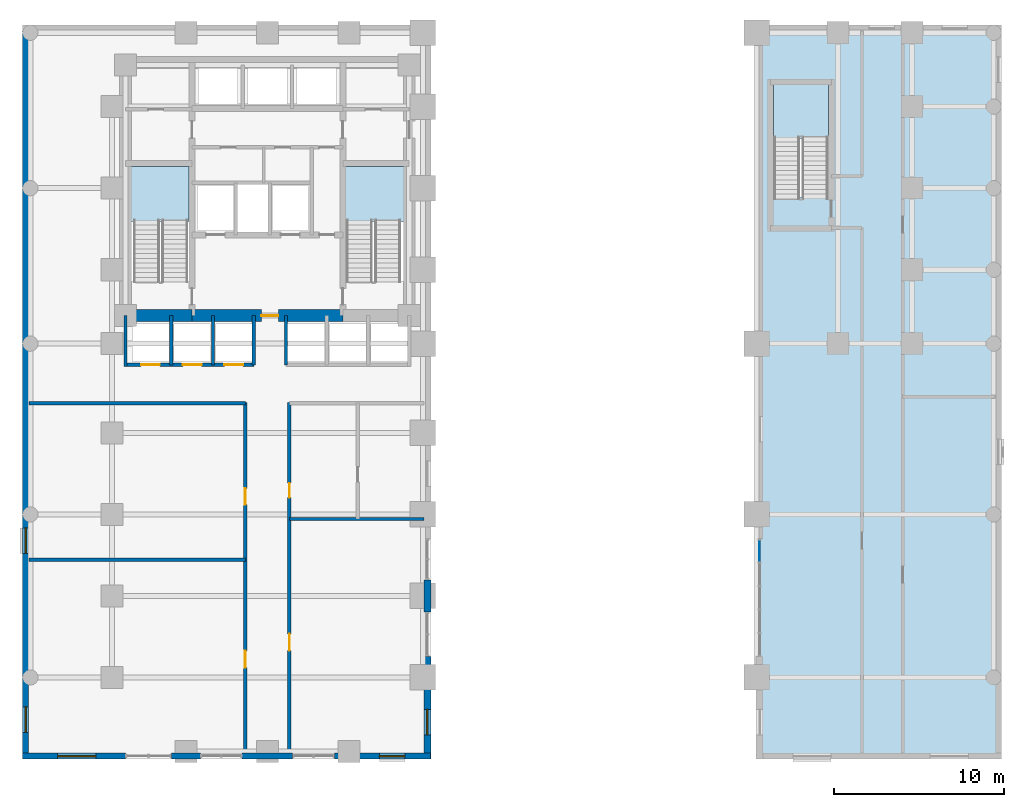
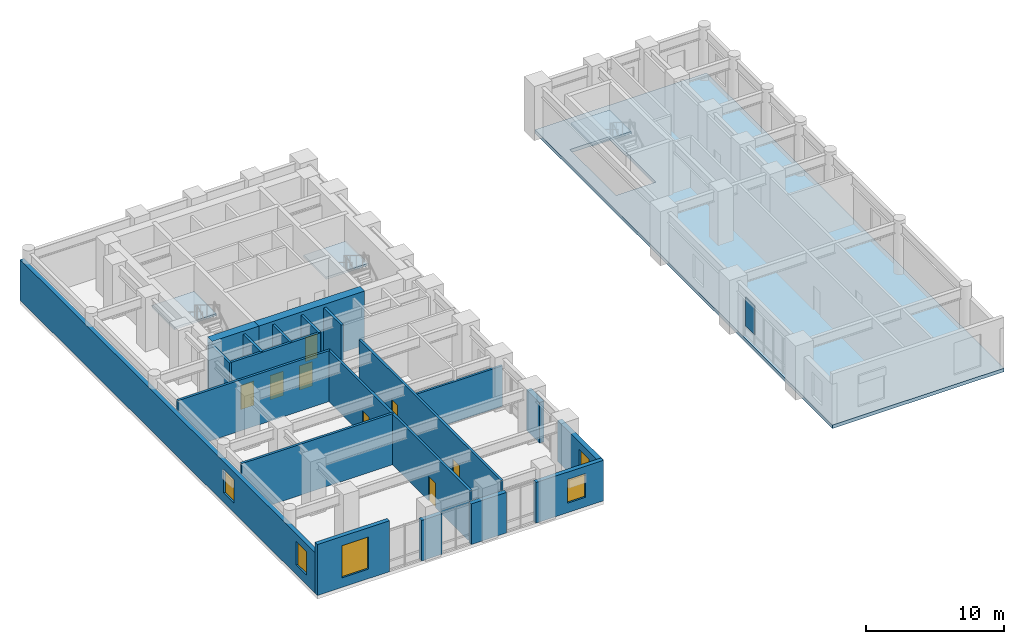
# One storey, part 6 of 11: 20 walls, 8 doors, 5 windows, 4 slabs, 1 plate, 13 openings, 4 elements without a shape of their own.
"""IFC4 building model written with IfcOpenShell, lengths in metres."""

from ifc_helpers import new_model, si_unit, direction, frame, frame_2d, origin, origin_2d, place, context, subcontext, project, spatial, polyline, rectangle, outline, extrude, material, layer, layer_set, type_object, element, fill, aggregate, save


model = new_model("IFC4")

# Units and contexts
model_context = context("Model", 3, precision=1e-05, world=origin(), true_north=direction((0.0, 1.0)))
body_context = subcontext(model_context, "Body", "Model", "MODEL_VIEW")
ifc_project = project(units=[si_unit("LENGTHUNIT", "METRE"), si_unit("AREAUNIT", "SQUARE_METRE"), si_unit("VOLUMEUNIT", "CUBIC_METRE"), si_unit("PLANEANGLEUNIT", "RADIAN"), si_unit("MASSUNIT", "GRAM", prefix="KILO")], contexts=[model_context])

# Site, building, storey
site_placement = place(None, origin())
site = spatial("IfcSite", under=ifc_project, at=site_placement, CompositionType="ELEMENT")
building_placement = place(site_placement, origin())
building = spatial("IfcBuilding", under=site, at=building_placement, Name="Orvandelia Arch Residences", CompositionType="ELEMENT")
storey_placement = place(building_placement, frame((0.0, 0.0, 5.199951171875)))
storey = spatial("IfcBuildingStorey", under=building, at=storey_placement, Name="L01", CompositionType="ELEMENT", Elevation=5.199951171875)

# Curtain wall, plate
ifc_material_1 = material(Name="Anodised Bronze Curtain Wall Assembly")
curtain_wall_type = type_object("IfcCurtainWallType", Name="CW-SYS2-ARCH", PredefinedType="NOTDEFINED", material=ifc_material_1)
curtain_wall_placement = place(storey_placement, origin())
curtain_wall = element("IfcCurtainWall", 1, at=curtain_wall_placement, inside=storey, type_object=curtain_wall_type, Name="Arch East Cheek Glazing L01 6", PredefinedType="NOTDEFINED")
ifc_material_2 = material(Name="Low-E Laminated Double Glazing", Category="glass")
ifc_layer_1 = layer(ifc_material_2, 0.031982421875, Name="Low-E Laminated Double Glazing", Category="glass")
ifc_layer_set_1 = layer_set([ifc_layer_1], Name="Low-E Laminated Double Glazing")
plate_type = type_object("IfcPlateType", Name="CW-PANEL-VISION", PredefinedType="CURTAIN_PANEL", material=ifc_layer_set_1)
plate_placement = place(storey_placement, frame((43.3798828125, 17.048095703125, 0.90478515625), z_axis=(0.0, 0.0, 1.0), x_axis=(0.0, 1.0, 0.0)))
plate = element("IfcPlate", 2, at=plate_placement, type_object=plate_type, Name="Curtain Wall Vision Glass Panel CW-L01-6-PV5", PredefinedType="CURTAIN_PANEL", context=body_context, shape_type="SweptSolid", body=[
    extrude(rectangle(XDim=1.2939453125, YDim=0.031982421875, at=origin_2d()), origin(), (0.0, 0.0, 1.0), 2.590087890625),
])
aggregate(curtain_wall, [plate])

# Stair, slab
ifc_material_3 = material(Name="Concrete C40/50", Category="concrete")
stair_type = type_object("IfcStairType", Name="STAIR-RC-DOGLEG", PredefinedType="HALF_TURN_STAIR", material=ifc_material_3)
stair_1_placement = place(storey_placement, origin())
stair_1 = element("IfcStair", 3, at=stair_1_placement, inside=storey, type_object=stair_type, Name="L01 Protected Exit Stair ST-1", PredefinedType="HALF_TURN_STAIR")
ifc_layer_2 = layer(ifc_material_3, 0.219970703125, Name="Concrete C40/50", Category="concrete")
ifc_layer_set_2 = layer_set([ifc_layer_2], Name="Concrete C40/50")
slab_type_1 = type_object("IfcSlabType", Name="SLB-LANDING-220", PredefinedType="LANDING", material=ifc_layer_set_2)
slab_1_placement = place(storey_placement, frame((0.0, 0.0, 2.199951171875)))
slab_1 = element("IfcSlab", 4, at=slab_1_placement, type_object=slab_type_1, Name="ST-1 landing 1", PredefinedType="LANDING", context=body_context, shape_type="SweptSolid", body=[
    extrude(outline(polyline([(9.800048828125, 36.429931640625), (9.800048828125, 39.68994140625), (6.260009765625, 39.68994140625), (6.260009765625, 36.429931640625), (9.800048828125, 36.429931640625)])), origin(), (0.0, 0.0, 1.0), 0.2001953125),
])
aggregate(stair_1, [slab_1])

stair_2_placement = place(storey_placement, origin())
stair_2 = element("IfcStair", 5, at=stair_2_placement, inside=storey, type_object=stair_type, Name="L01 Protected Exit Stair ST-2", PredefinedType="HALF_TURN_STAIR")
slab_2_placement = place(storey_placement, frame((0.0, 0.0, 2.199951171875)))
slab_2 = element("IfcSlab", 6, at=slab_2_placement, type_object=slab_type_1, Name="ST-2 landing 1", PredefinedType="LANDING", context=body_context, shape_type="SweptSolid", body=[
    extrude(outline(polyline([(22.5400390625, 36.429931640625), (22.5400390625, 39.68994140625), (19.0, 39.68994140625), (19.0, 36.429931640625), (22.5400390625, 36.429931640625)])), origin(), (0.0, 0.0, 1.0), 0.2001953125),
])
aggregate(stair_2, [slab_2])

stair_3_placement = place(storey_placement, origin())
stair_3 = element("IfcStair", 7, at=stair_3_placement, inside=storey, type_object=stair_type, Name="L01 East Wing Exit Stair ST-3", PredefinedType="HALF_TURN_STAIR")
slab_3_placement = place(storey_placement, frame((0.0, 0.0, 2.199951171875)))
slab_3 = element("IfcSlab", 8, at=slab_3_placement, type_object=slab_type_1, Name="ST-3 landing 1", PredefinedType="LANDING", context=body_context, shape_type="SweptSolid", body=[
    extrude(outline(polyline([(47.43994140625, 41.330078125), (47.43994140625, 44.5), (44.179931640625, 44.5), (44.179931640625, 41.330078125), (47.43994140625, 41.330078125)])), origin(), (0.0, 0.0, 1.0), 0.2001953125),
])
aggregate(stair_3, [slab_3])

# Slab
ifc_layer_3 = layer(ifc_material_3, 0.31005859375, Name="Concrete C40/50", Category="concrete")
ifc_layer_set_3 = layer_set([ifc_layer_3], Name="Concrete C40/50")
slab_type_2 = type_object("IfcSlabType", Name="SLB-POD-310", PredefinedType="FLOOR", material=ifc_layer_set_3)
slab_4_placement = place(storey_placement, frame((0.0, 0.0, -0.31005859375)))
element("IfcSlab", 9, at=slab_4_placement, inside=storey, type_object=slab_type_2, Name="Structural Floor Slab L01-2", PredefinedType="FLOOR", context=body_context, shape_type="SweptSolid", body=[
    extrude(outline(polyline([(43.199951171875, 4.800048828125), (57.60009765625, 4.800048828125), (57.60009765625, 48.0), (43.199951171875, 48.0), (43.199951171875, 4.800048828125)]), holes=[polyline([(44.139892578125, 37.85009765625), (47.47998046875, 37.85009765625), (47.47998046875, 44.5400390625), (44.139892578125, 44.5400390625), (44.139892578125, 37.85009765625)])]), origin(), (0.0, 0.0, 1.0), 0.31005859375),
])

# Wall
ifc_material_4 = material(Name="Precast concrete C40/50", Category="concrete")
ifc_layer_4 = layer(ifc_material_4, 0.39990234375, Name="Precast concrete C40/50", Category="concrete")
ifc_layer_set_4 = layer_set([ifc_layer_4], Name="Precast concrete C40/50")
wall_type_1 = type_object("IfcWallType", Name="WL-ARCH-CHEEK-400", PredefinedType="SOLIDWALL", material=ifc_layer_set_4)
wall_1_placement = place(storey_placement, frame((23.824951171875, 15.35009765625, 0.0), z_axis=(0.0, 0.0, 1.0), x_axis=(0.0, -1.0, 0.0)))
element("IfcWall", 10, at=wall_1_placement, inside=storey, type_object=wall_type_1, Name="Giant Arch Pier Cheek Wall L01-003", PredefinedType="SOLIDWALL", context=body_context, shape_type="SweptSolid", body=[
    extrude(rectangle(XDim=1.900146484375, YDim=0.39990234375, at=frame_2d((0.9501953125, 0.0))), origin(), (0.0, 0.0, 1.0), 3.60009765625),
])

# Wall, opening, window
wall_2_placement = place(storey_placement, frame((23.824951171875, 10.840087890625, 0.0), z_axis=(0.0, 0.0, 1.0), x_axis=(0.0, -1.0, 0.0)))
wall_2 = element("IfcWall", 11, at=wall_2_placement, inside=storey, type_object=wall_type_1, Name="Giant Arch Pier Cheek Wall L01-004", PredefinedType="SOLIDWALL", context=body_context, shape_type="SweptSolid", body=[
    extrude(rectangle(XDim=6.0400390625, YDim=0.39990234375, at=frame_2d((3.02001953125, 0.0))), origin(), (0.0, 0.0, 1.0), 3.60009765625),
])
opening_1_placement = place(wall_2_placement, frame((3.114990234375, 0.0, 0.85009765625)))
opening_1 = element("IfcOpeningElement", 12, at=opening_1_placement, cuts=wall_2, Name="Opening W2", PredefinedType="OPENING", context=body_context, shape_type="SweptSolid", body=[
    extrude(rectangle(XDim=1.5, YDim=2.10009765625, at=frame_2d((0.75, 1.050048828125))), frame((0.0, 0.2099609375, 0.0), z_axis=(0.0, -1.0, 0.0), x_axis=(1.0, 0.0, 0.0)), (0.0, 0.0, 1.0), 0.419921875),
])
ifc_material_5 = material(Name="Tempered Low-E Insulated Glazing", Category="glass")
window_type_1 = type_object("IfcWindowType", Name="WIN-RES-1500x2100", PartitioningType="SINGLE_PANEL", PredefinedType="WINDOW", material=ifc_material_5)
window_1_placement = place(opening_1_placement, origin())
window_1 = element("IfcWindow", 13, at=window_1_placement, inside=storey, type_object=window_type_1, Name="Recessed Punched Window L01-002", OverallHeight=2.10009765625, OverallWidth=1.5, PartitioningType="SINGLE_PANEL", PredefinedType="WINDOW", context=body_context, shape_type="SweptSolid", body=[
    extrude(rectangle(XDim=1.5, YDim=2.10009765625, at=frame_2d((0.75, 1.050048828125))), frame((0.0, 0.030029296875, 0.0), z_axis=(0.0, -1.0, 0.0), x_axis=(1.0, 0.0, 0.0)), (0.0, 0.0, 1.0), 0.06005859375),
])
fill(opening_1, window_1)

# Wall
ifc_material_6 = material(Name="Concrete C80/95", Category="concrete")
ifc_layer_5 = layer(ifc_material_6, 0.699951171875, Name="Concrete C80/95", Category="concrete")
ifc_layer_set_5 = layer_set([ifc_layer_5], Name="Concrete C80/95")
wall_type_2 = type_object("IfcWallType", Name="WL-CORE-700", PredefinedType="SHEAR", material=ifc_layer_set_5)
wall_3_placement = place(storey_placement, frame((6.050048828125, 30.89990234375, 0.0), z_axis=(0.0, 0.0, 1.0), x_axis=(1.0, 0.0, 0.0)))
element("IfcWall", 14, at=wall_3_placement, inside=storey, type_object=wall_type_2, Name="Core Shear Wall L01-SW", PredefinedType="SHEAR", context=body_context, shape_type="SweptSolid", body=[
    extrude(rectangle(XDim=3.909912109375, YDim=0.699951171875, at=frame_2d((1.955078125, 0.0))), origin(), (0.0, 0.0, 1.0), 4.800048828125),
])

# Wall, opening, door
wall_4_placement = place(storey_placement, frame((9.9599609375, 30.89990234375, 0.0), z_axis=(0.0, 0.0, 1.0), x_axis=(1.0, 0.0, 0.0)))
wall_4 = element("IfcWall", 15, at=wall_4_placement, inside=storey, type_object=wall_type_2, Name="Core Shear Wall L01-SM", PredefinedType="SHEAR", context=body_context, shape_type="SweptSolid", body=[
    extrude(rectangle(XDim=8.880126953125, YDim=0.699951171875, at=frame_2d((4.43994140625, 0.0))), origin(), (0.0, 0.0, 1.0), 4.800048828125),
])
opening_2_placement = place(wall_4_placement, frame((4.090087890625, 0.0, 0.0)))
opening_2 = element("IfcOpeningElement", 16, at=opening_2_placement, cuts=wall_4, Name="Opening D6", PredefinedType="OPENING", context=body_context, shape_type="SweptSolid", body=[
    extrude(rectangle(XDim=1.0, YDim=2.14990234375, at=frame_2d((0.5, 1.074951171875))), frame((0.0, 0.35986328125, 0.0), z_axis=(0.0, -1.0, 0.0), x_axis=(1.0, 0.0, 0.0)), (0.0, 0.0, 1.0), 0.719970703125),
])
ifc_material_7 = material(Name="Smokeproof Painted Steel Fire Door", Category="steel")
door_type_1 = type_object("IfcDoorType", Name="DR-FD60-1000", OperationType="NOTDEFINED", PredefinedType="DOOR", material=ifc_material_7)
door_1_placement = place(opening_2_placement, origin())
door_1 = element("IfcDoor", 17, at=door_1_placement, inside=storey, type_object=door_type_1, Name="Firefighting Lobby Smokeproof Door L01", OperationType="SINGLE_SWING_LEFT", OverallHeight=2.14990234375, OverallWidth=1.0, PredefinedType="DOOR", context=body_context, shape_type="SweptSolid", body=[
    extrude(rectangle(XDim=1.0, YDim=2.14990234375, at=frame_2d((0.5, 1.074951171875))), frame((0.0, 0.02490234375, 0.0), z_axis=(0.0, -1.0, 0.0), x_axis=(1.0, 0.0, 0.0)), (0.0, 0.0, 1.0), 0.050048828125),
])
fill(opening_2, door_1)

# Wall, openings, doors
ifc_material_8 = material(Name="Fire-Rated Corridor Partition")
ifc_layer_6 = layer(ifc_material_8, 0.199951171875, Name="Fire-Rated Corridor Partition")
ifc_layer_set_6 = layer_set([ifc_layer_6], Name="Fire-Rated Corridor Partition")
wall_type_3 = type_object("IfcWallType", Name="WL-CORR-200", PredefinedType="PARTITIONING", material=ifc_layer_set_6)
wall_5_placement = place(storey_placement, frame((13.10009765625, 5.159912109375, 0.0), z_axis=(0.0, 0.0, 1.0), x_axis=(0.0, 1.0, 0.0)))
wall_5 = element("IfcWall", 18, at=wall_5_placement, inside=storey, type_object=wall_type_3, Name="Interior Partition Wall WL-L01-PW-W", PredefinedType="PARTITIONING", context=body_context, shape_type="SweptSolid", body=[
    extrude(rectangle(XDim=20.64013671875, YDim=0.199951171875, at=frame_2d((10.320068359375, 0.0))), origin(), (0.0, 0.0, 1.0), 4.52001953125),
])
opening_3_placement = place(wall_5_placement, frame((5.02001953125, 0.0, 0.0)))
opening_3 = element("IfcOpeningElement", 19, at=opening_3_placement, cuts=wall_5, Name="Opening D1", PredefinedType="OPENING", context=body_context, shape_type="SweptSolid", body=[
    extrude(rectangle(XDim=0.97998046875, YDim=2.179931640625, at=frame_2d((0.489990234375, 1.08984375))), frame((0.0, 0.10986328125, 0.0), z_axis=(0.0, -1.0, 0.0), x_axis=(1.0, 0.0, 0.0)), (0.0, 0.0, 1.0), 0.219970703125),
])
opening_4_placement = place(wall_5_placement, frame((14.6201171875, 0.0, 0.0)))
opening_4 = element("IfcOpeningElement", 20, at=opening_4_placement, cuts=wall_5, Name="Opening D2", PredefinedType="OPENING", context=body_context, shape_type="SweptSolid", body=[
    extrude(rectangle(XDim=0.949951171875, YDim=2.14990234375, at=frame_2d((0.47509765625, 1.074951171875))), frame((0.0, 0.10986328125, 0.0), z_axis=(0.0, -1.0, 0.0), x_axis=(1.0, 0.0, 0.0)), (0.0, 0.0, 1.0), 0.219970703125),
])
ifc_material_9 = material(Name="Solid-Core Timber Interior Fire Door", Category="wood")
door_type_2 = type_object("IfcDoorType", Name="DR-APT-950", OperationType="NOTDEFINED", PredefinedType="DOOR", material=ifc_material_9)
door_2_placement = place(opening_4_placement, origin())
door_2 = element("IfcDoor", 21, at=door_2_placement, inside=storey, type_object=door_type_2, Name="DR-L01-RET", OperationType="SINGLE_SWING_RIGHT", OverallHeight=2.14990234375, OverallWidth=0.949951171875, PredefinedType="DOOR", context=body_context, shape_type="SweptSolid", body=[
    extrude(rectangle(XDim=0.949951171875, YDim=2.14990234375, at=frame_2d((0.47509765625, 1.074951171875))), frame((0.0, 0.02490234375, 0.0), z_axis=(0.0, -1.0, 0.0), x_axis=(1.0, 0.0, 0.0)), (0.0, 0.0, 1.0), 0.050048828125),
])
fill(opening_4, door_2)
ifc_material_10 = material(Name="Solid-Core Timber Acoustic Fire Door", Category="wood")
door_type_3 = type_object("IfcDoorType", Name="DR-ENT-980", OperationType="NOTDEFINED", PredefinedType="DOOR", material=ifc_material_10)
door_3_placement = place(opening_3_placement, origin())
door_3 = element("IfcDoor", 22, at=door_3_placement, inside=storey, type_object=door_type_3, Name="DR-L01-GAL", OperationType="SINGLE_SWING_LEFT", OverallHeight=2.179931640625, OverallWidth=0.97998046875, PredefinedType="DOOR", context=body_context, shape_type="SweptSolid", body=[
    extrude(rectangle(XDim=0.97998046875, YDim=2.179931640625, at=frame_2d((0.489990234375, 1.08984375))), frame((0.0, 0.02490234375, 0.0), z_axis=(0.0, -1.0, 0.0), x_axis=(1.0, 0.0, 0.0)), (0.0, 0.0, 1.0), 0.050048828125),
])
fill(opening_3, door_3)

wall_6_placement = place(storey_placement, frame((15.699951171875, 5.159912109375, 0.0), z_axis=(0.0, 0.0, 1.0), x_axis=(0.0, 1.0, 0.0)))
wall_6 = element("IfcWall", 23, at=wall_6_placement, inside=storey, type_object=wall_type_3, Name="Interior Partition Wall WL-L01-PW-E", PredefinedType="PARTITIONING", context=body_context, shape_type="SweptSolid", body=[
    extrude(rectangle(XDim=20.64013671875, YDim=0.199951171875, at=frame_2d((10.320068359375, 0.0))), origin(), (0.0, 0.0, 1.0), 4.52001953125),
])
opening_5_placement = place(wall_6_placement, frame((6.02001953125, 0.0, 0.0)))
opening_5 = element("IfcOpeningElement", 24, at=opening_5_placement, cuts=wall_6, Name="Opening D1", PredefinedType="OPENING", context=body_context, shape_type="SweptSolid", body=[
    extrude(rectangle(XDim=0.97998046875, YDim=2.179931640625, at=frame_2d((0.489990234375, 1.08984375))), frame((0.0, 0.10986328125, 0.0), z_axis=(0.0, -1.0, 0.0), x_axis=(1.0, 0.0, 0.0)), (0.0, 0.0, 1.0), 0.219970703125),
])
opening_6_placement = place(wall_6_placement, frame((15.02001953125, 0.0, 0.0)))
opening_6 = element("IfcOpeningElement", 25, at=opening_6_placement, cuts=wall_6, Name="Opening D4", PredefinedType="OPENING", context=body_context, shape_type="SweptSolid", body=[
    extrude(rectangle(XDim=0.860107421875, YDim=2.10009765625, at=frame_2d((0.43017578125, 1.050048828125))), frame((0.0, 0.10986328125, 0.0), z_axis=(0.0, -1.0, 0.0), x_axis=(1.0, 0.0, 0.0)), (0.0, 0.0, 1.0), 0.219970703125),
])
door_4_placement = place(opening_5_placement, origin())
door_4 = element("IfcDoor", 26, at=door_4_placement, inside=storey, type_object=door_type_3, Name="DR-L01-BIS", OperationType="SINGLE_SWING_RIGHT", OverallHeight=2.179931640625, OverallWidth=0.97998046875, PredefinedType="DOOR", context=body_context, shape_type="SweptSolid", body=[
    extrude(rectangle(XDim=0.97998046875, YDim=2.179931640625, at=frame_2d((0.489990234375, 1.08984375))), frame((0.0, 0.02490234375, 0.0), z_axis=(0.0, -1.0, 0.0), x_axis=(1.0, 0.0, 0.0)), (0.0, 0.0, 1.0), 0.050048828125),
])
fill(opening_5, door_4)
ifc_material_11 = material(Name="Moisture-Sealed Timber Bathroom Door", Category="wood")
door_type_4 = type_object("IfcDoorType", Name="DR-WET-900", OperationType="NOTDEFINED", PredefinedType="DOOR", material=ifc_material_11)
door_5_placement = place(opening_6_placement, origin())
door_5 = element("IfcDoor", 27, at=door_5_placement, inside=storey, type_object=door_type_4, Name="DR-L01-WCP", OperationType="SINGLE_SWING_LEFT", OverallHeight=2.10009765625, OverallWidth=0.860107421875, PredefinedType="DOOR", context=body_context, shape_type="SweptSolid", body=[
    extrude(rectangle(XDim=0.860107421875, YDim=2.10009765625, at=frame_2d((0.43017578125, 1.050048828125))), frame((0.0, 0.02490234375, 0.0), z_axis=(0.0, -1.0, 0.0), x_axis=(1.0, 0.0, 0.0)), (0.0, 0.0, 1.0), 0.050048828125),
])
fill(opening_6, door_5)

# Walls
wall_7_placement = place(storey_placement, frame((0.360107421875, 25.75, 0.0), z_axis=(0.0, 0.0, 1.0), x_axis=(1.0, 0.0, 0.0)))
element("IfcWall", 28, at=wall_7_placement, inside=storey, type_object=wall_type_3, Name="Interior Partition Wall WL-L01-PW-CLS1", PredefinedType="PARTITIONING", context=body_context, shape_type="SweptSolid", body=[
    extrude(rectangle(XDim=12.739990234375, YDim=0.199951171875, at=frame_2d((6.3701171875, 0.0))), origin(), (0.0, 0.0, 1.0), 4.52001953125),
])
ifc_layer_7 = layer(ifc_material_3, 0.199951171875, Name="Concrete C40/50", Category="concrete")
ifc_layer_set_7 = layer_set([ifc_layer_7], Name="Concrete C40/50")
wall_type_4 = type_object("IfcWallType", Name="WL-DEM-200", PredefinedType="SOLIDWALL", material=ifc_layer_set_7)
wall_8_placement = place(storey_placement, frame((0.360107421875, 16.52001953125, 0.0), z_axis=(0.0, 0.0, 1.0), x_axis=(1.0, 0.0, 0.0)))
element("IfcWall", 29, at=wall_8_placement, inside=storey, type_object=wall_type_4, Name="Interior Partition Wall WL-L01-PW-D1", PredefinedType="SOLIDWALL", context=body_context, shape_type="SweptSolid", body=[
    extrude(rectangle(XDim=12.739990234375, YDim=0.199951171875, at=frame_2d((6.3701171875, 0.0))), origin(), (0.0, 0.0, 1.0), 4.52001953125),
])

# Wall, opening, window
ifc_layer_8 = layer(ifc_material_4, 0.35009765625, Name="Precast concrete C40/50", Category="concrete")
ifc_layer_set_8 = layer_set([ifc_layer_8], Name="Precast concrete C40/50")
wall_type_5 = type_object("IfcWallType", Name="WL-EXT-POD-350", PredefinedType="STANDARD", material=ifc_layer_set_8)
wall_9_placement = place(storey_placement, frame((24.0, 4.97509765625, 0.0), z_axis=(0.0, 0.0, 1.0), x_axis=(-1.0, 0.0, 0.0)))
wall_9 = element("IfcWall", 30, at=wall_9_placement, inside=storey, type_object=wall_type_5, Name="Coral-Limestone Precast Facade Wall L01-005", PredefinedType="STANDARD", context=body_context, shape_type="SweptSolid", body=[
    extrude(rectangle(XDim=5.64990234375, YDim=0.35009765625, at=frame_2d((2.824951171875, 0.0))), origin(), (0.0, 0.0, 1.0), 3.60009765625),
])
opening_7_placement = place(wall_9_placement, frame((1.5, 0.0, 0.85009765625)))
opening_7 = element("IfcOpeningElement", 31, at=opening_7_placement, cuts=wall_9, Name="Opening W2", PredefinedType="OPENING", context=body_context, shape_type="SweptSolid", body=[
    extrude(rectangle(XDim=1.5, YDim=2.10009765625, at=frame_2d((0.75, 1.050048828125))), frame((0.0, 0.18505859375, 0.0), z_axis=(0.0, -1.0, 0.0), x_axis=(1.0, 0.0, 0.0)), (0.0, 0.0, 1.0), 0.3701171875),
])
window_2_placement = place(opening_7_placement, origin())
window_2 = element("IfcWindow", 32, at=window_2_placement, inside=storey, type_object=window_type_1, Name="Recessed Punched Window L01-003", OverallHeight=2.10009765625, OverallWidth=1.5, PartitioningType="SINGLE_PANEL", PredefinedType="WINDOW", context=body_context, shape_type="SweptSolid", body=[
    extrude(rectangle(XDim=1.5, YDim=2.10009765625, at=frame_2d((0.75, 1.050048828125))), frame((0.0, 0.030029296875, 0.0), z_axis=(0.0, -1.0, 0.0), x_axis=(1.0, 0.0, 0.0)), (0.0, 0.0, 1.0), 0.06005859375),
])
fill(opening_7, window_2)

# Walls
wall_10_placement = place(storey_placement, frame((15.8798828125, 4.97509765625, 0.0), z_axis=(0.0, 0.0, 1.0), x_axis=(-1.0, 0.0, 0.0)))
element("IfcWall", 33, at=wall_10_placement, inside=storey, type_object=wall_type_5, Name="Coral-Limestone Precast Facade Wall L01-006", PredefinedType="STANDARD", context=body_context, shape_type="SweptSolid", body=[
    extrude(rectangle(XDim=2.9599609375, YDim=0.35009765625, at=frame_2d((1.47998046875, 0.0))), origin(), (0.0, 0.0, 1.0), 3.60009765625),
])
wall_11_placement = place(storey_placement, frame((10.449951171875, 4.97509765625, 0.0), z_axis=(0.0, 0.0, 1.0), x_axis=(-1.0, 0.0, 0.0)))
element("IfcWall", 34, at=wall_11_placement, inside=storey, type_object=wall_type_5, Name="Coral-Limestone Precast Facade Wall L01-007", PredefinedType="STANDARD", context=body_context, shape_type="SweptSolid", body=[
    extrude(rectangle(XDim=1.699951171875, YDim=0.35009765625, at=frame_2d((0.85009765625, 0.0))), origin(), (0.0, 0.0, 1.0), 3.60009765625),
])

# Wall, opening, window
wall_12_placement = place(storey_placement, frame((6.0400390625, 4.97509765625, 0.0), z_axis=(0.0, 0.0, 1.0), x_axis=(-1.0, 0.0, 0.0)))
wall_12 = element("IfcWall", 35, at=wall_12_placement, inside=storey, type_object=wall_type_5, Name="Coral-Limestone Precast Facade Wall L01-008", PredefinedType="STANDARD", context=body_context, shape_type="SweptSolid", body=[
    extrude(rectangle(XDim=6.0400390625, YDim=0.35009765625, at=frame_2d((3.02001953125, 0.0))), origin(), (0.0, 0.0, 1.0), 4.52001953125),
])
opening_8_placement = place(wall_12_placement, frame((1.739990234375, 0.0, 0.85009765625)))
opening_8 = element("IfcOpeningElement", 36, at=opening_8_placement, cuts=wall_12, Name="Opening W13", PredefinedType="OPENING", context=body_context, shape_type="SweptSolid", body=[
    extrude(rectangle(XDim=2.25, YDim=2.85009765625, at=frame_2d((1.125, 1.425048828125))), frame((0.0, 0.18505859375, 0.0), z_axis=(0.0, -1.0, 0.0), x_axis=(1.0, 0.0, 0.0)), (0.0, 0.0, 1.0), 0.3701171875),
])
ifc_material_12 = material(Name="Laminated Acoustic Double Glazing", Category="glass")
window_type_2 = type_object("IfcWindowType", Name="WIN-GAL-2250x2850", PartitioningType="SINGLE_PANEL", PredefinedType="WINDOW", material=ifc_material_12)
window_3_placement = place(opening_8_placement, origin())
window_3 = element("IfcWindow", 37, at=window_3_placement, inside=storey, type_object=window_type_2, Name="Recessed Punched Window L01-004", OverallHeight=2.85009765625, OverallWidth=2.25, PartitioningType="SINGLE_PANEL", PredefinedType="WINDOW", context=body_context, shape_type="SweptSolid", body=[
    extrude(rectangle(XDim=2.25, YDim=2.85009765625, at=frame_2d((1.125, 1.425048828125))), frame((0.0, 0.030029296875, 0.0), z_axis=(0.0, -1.0, 0.0), x_axis=(1.0, 0.0, 0.0)), (0.0, 0.0, 1.0), 0.06005859375),
])
fill(opening_8, window_3)

# Wall, openings, windows
wall_13_placement = place(storey_placement, frame((0.175048828125, 4.800048828125, 0.0), z_axis=(0.0, 0.0, 1.0), x_axis=(0.0, 1.0, 0.0)))
wall_13 = element("IfcWall", 38, at=wall_13_placement, inside=storey, type_object=wall_type_5, Name="Coral-Limestone Precast Facade Wall L01-009", PredefinedType="STANDARD", context=body_context, shape_type="SweptSolid", body=[
    extrude(rectangle(XDim=43.199951171875, YDim=0.35009765625, at=frame_2d((21.60009765625, 0.0))), origin(), (0.0, 0.0, 1.0), 3.60009765625),
])
opening_9_placement = place(wall_13_placement, frame((1.574951171875, 0.0, 0.85009765625)))
opening_9 = element("IfcOpeningElement", 39, at=opening_9_placement, cuts=wall_13, Name="Opening W2", PredefinedType="OPENING", context=body_context, shape_type="SweptSolid", body=[
    extrude(rectangle(XDim=1.5, YDim=2.10009765625, at=frame_2d((0.75, 1.050048828125))), frame((0.0, 0.18505859375, 0.0), z_axis=(0.0, -1.0, 0.0), x_axis=(1.0, 0.0, 0.0)), (0.0, 0.0, 1.0), 0.3701171875),
])
opening_10_placement = place(wall_13_placement, frame((12.10009765625, 0.0, 0.85009765625)))
opening_10 = element("IfcOpeningElement", 40, at=opening_10_placement, cuts=wall_13, Name="Opening W2", PredefinedType="OPENING", context=body_context, shape_type="SweptSolid", body=[
    extrude(rectangle(XDim=1.5, YDim=2.10009765625, at=frame_2d((0.75, 1.050048828125))), frame((0.0, 0.18505859375, 0.0), z_axis=(0.0, -1.0, 0.0), x_axis=(1.0, 0.0, 0.0)), (0.0, 0.0, 1.0), 0.3701171875),
])
window_4_placement = place(opening_9_placement, origin())
window_4 = element("IfcWindow", 41, at=window_4_placement, inside=storey, type_object=window_type_1, Name="Recessed Punched Window L01-005", OverallHeight=2.10009765625, OverallWidth=1.5, PartitioningType="SINGLE_PANEL", PredefinedType="WINDOW", context=body_context, shape_type="SweptSolid", body=[
    extrude(rectangle(XDim=1.5, YDim=2.10009765625, at=frame_2d((0.75, 1.050048828125))), frame((0.0, 0.030029296875, 0.0), z_axis=(0.0, -1.0, 0.0), x_axis=(1.0, 0.0, 0.0)), (0.0, 0.0, 1.0), 0.06005859375),
])
fill(opening_9, window_4)
window_5_placement = place(opening_10_placement, origin())
window_5 = element("IfcWindow", 42, at=window_5_placement, inside=storey, type_object=window_type_1, Name="Recessed Punched Window L01-006", OverallHeight=2.10009765625, OverallWidth=1.5, PartitioningType="SINGLE_PANEL", PredefinedType="WINDOW", context=body_context, shape_type="SweptSolid", body=[
    extrude(rectangle(XDim=1.5, YDim=2.10009765625, at=frame_2d((0.75, 1.050048828125))), frame((0.0, 0.030029296875, 0.0), z_axis=(0.0, -1.0, 0.0), x_axis=(1.0, 0.0, 0.0)), (0.0, 0.0, 1.0), 0.06005859375),
])
fill(opening_10, window_5)

# Wall, openings, doors
ifc_material_13 = material(Name="Fire-Rated Shaft Enclosure Wall")
ifc_layer_9 = layer(ifc_material_13, 0.199951171875, Name="Fire-Rated Shaft Enclosure Wall")
ifc_layer_set_9 = layer_set([ifc_layer_9], Name="Fire-Rated Shaft Enclosure Wall")
wall_type_6 = type_object("IfcWallType", Name="WL-SHAFT-200", PredefinedType="POLYGONAL", material=ifc_layer_set_9)
wall_14_placement = place(storey_placement, frame((6.050048828125, 28.0, 0.0), z_axis=(0.0, 0.0, 1.0), x_axis=(1.0, 0.0, 0.0)))
wall_14 = element("IfcWall", 43, at=wall_14_placement, inside=storey, type_object=wall_type_6, Name="Interior Partition Wall WL-L01-BNKL-S", PredefinedType="POLYGONAL", context=body_context, shape_type="SweptSolid", body=[
    extrude(rectangle(XDim=7.550048828125, YDim=0.199951171875, at=frame_2d((3.77490234375, 0.0))), origin(), (0.0, 0.0, 1.0), 4.52001953125),
])
opening_11_placement = place(wall_14_placement, frame((0.925048828125, 0.0, 0.0)))
opening_11 = element("IfcOpeningElement", 44, at=opening_11_placement, cuts=wall_14, Name="Opening LD", PredefinedType="OPENING", context=body_context, shape_type="SweptSolid", body=[
    extrude(rectangle(XDim=1.10009765625, YDim=2.14990234375, at=frame_2d((0.550048828125, 1.074951171875))), frame((0.0, 0.10986328125, 0.0), z_axis=(0.0, -1.0, 0.0), x_axis=(1.0, 0.0, 0.0)), (0.0, 0.0, 1.0), 0.219970703125),
])
opening_12_placement = place(wall_14_placement, frame((3.375, 0.0, 0.0)))
opening_12 = element("IfcOpeningElement", 45, at=opening_12_placement, cuts=wall_14, Name="Opening LD", PredefinedType="OPENING", context=body_context, shape_type="SweptSolid", body=[
    extrude(rectangle(XDim=1.10009765625, YDim=2.14990234375, at=frame_2d((0.550048828125, 1.074951171875))), frame((0.0, 0.10986328125, 0.0), z_axis=(0.0, -1.0, 0.0), x_axis=(1.0, 0.0, 0.0)), (0.0, 0.0, 1.0), 0.219970703125),
])
opening_13_placement = place(wall_14_placement, frame((5.824951171875, 0.0, 0.0)))
opening_13 = element("IfcOpeningElement", 46, at=opening_13_placement, cuts=wall_14, Name="Opening LD", PredefinedType="OPENING", context=body_context, shape_type="SweptSolid", body=[
    extrude(rectangle(XDim=1.10009765625, YDim=2.14990234375, at=frame_2d((0.550048828125, 1.074951171875))), frame((0.0, 0.10986328125, 0.0), z_axis=(0.0, -1.0, 0.0), x_axis=(1.0, 0.0, 0.0)), (0.0, 0.0, 1.0), 0.219970703125),
])
ifc_material_14 = material(Name="Brushed Stainless Steel Sliding Lift Door", Category="steel")
door_type_5 = type_object("IfcDoorType", Name="DR-LIFT-1100", OperationType="NOTDEFINED", PredefinedType="DOOR", material=ifc_material_14)
door_6_placement = place(opening_11_placement, origin())
door_6 = element("IfcDoor", 47, at=door_6_placement, inside=storey, type_object=door_type_5, Name="Lift Landing Door LD-PL1", OperationType="SLIDING_TO_LEFT", OverallHeight=2.14990234375, OverallWidth=1.10009765625, PredefinedType="DOOR", context=body_context, shape_type="SweptSolid", body=[
    extrude(rectangle(XDim=1.10009765625, YDim=2.14990234375, at=frame_2d((0.550048828125, 1.074951171875))), frame((0.0, 0.02490234375, 0.0), z_axis=(0.0, -1.0, 0.0), x_axis=(1.0, 0.0, 0.0)), (0.0, 0.0, 1.0), 0.050048828125),
])
fill(opening_11, door_6)
door_7_placement = place(opening_12_placement, origin())
door_7 = element("IfcDoor", 48, at=door_7_placement, inside=storey, type_object=door_type_5, Name="Lift Landing Door LD-PL2", OperationType="SLIDING_TO_RIGHT", OverallHeight=2.14990234375, OverallWidth=1.10009765625, PredefinedType="DOOR", context=body_context, shape_type="SweptSolid", body=[
    extrude(rectangle(XDim=1.10009765625, YDim=2.14990234375, at=frame_2d((0.550048828125, 1.074951171875))), frame((0.0, 0.02490234375, 0.0), z_axis=(0.0, -1.0, 0.0), x_axis=(1.0, 0.0, 0.0)), (0.0, 0.0, 1.0), 0.050048828125),
])
fill(opening_12, door_7)
door_8_placement = place(opening_13_placement, origin())
door_8 = element("IfcDoor", 49, at=door_8_placement, inside=storey, type_object=door_type_5, Name="Lift Landing Door LD-PL3", OperationType="SLIDING_TO_LEFT", OverallHeight=2.14990234375, OverallWidth=1.10009765625, PredefinedType="DOOR", context=body_context, shape_type="SweptSolid", body=[
    extrude(rectangle(XDim=1.10009765625, YDim=2.14990234375, at=frame_2d((0.550048828125, 1.074951171875))), frame((0.0, 0.02490234375, 0.0), z_axis=(0.0, -1.0, 0.0), x_axis=(1.0, 0.0, 0.0)), (0.0, 0.0, 1.0), 0.050048828125),
])
fill(opening_13, door_8)

# Walls
wall_15_placement = place(storey_placement, frame((6.050048828125, 27.89990234375, 0.0), z_axis=(0.0, 0.0, 1.0), x_axis=(0.0, 1.0, 0.0)))
element("IfcWall", 50, at=wall_15_placement, inside=storey, type_object=wall_type_6, Name="Interior Partition Wall WL-L01-BNKL-W", PredefinedType="POLYGONAL", context=body_context, shape_type="SweptSolid", body=[
    extrude(rectangle(XDim=3.0, YDim=0.199951171875, at=frame_2d((1.5, 0.0))), origin(), (0.0, 0.0, 1.0), 4.52001953125),
])
for number, where, z_axis, x_axis, name in (
    (51, (13.60009765625, 28.0, 0.0), (0.0, 0.0, 1.0), (0.0, 1.0, 0.0), "Interior Partition Wall WL-L01-BNKL-E"),
    (52, (15.5, 28.0, 0.0), (0.0, 0.0, 1.0), (0.0, 1.0, 0.0), "Interior Partition Wall WL-L01-BNKM-W"),
    (53, (8.75, 28.0, 0.0), (0.0, 0.0, 1.0), (0.0, 1.0, 0.0), "Interior Partition Wall WL-L01-BNKD-875"),
    (54, (11.199951171875, 28.0, 0.0), (0.0, 0.0, 1.0), (0.0, 1.0, 0.0), "Interior Partition Wall WL-L01-BNKD-1120"),
):
    element("IfcWall", number, at=place(storey_placement, frame(where, z_axis=z_axis, x_axis=x_axis)), inside=storey, type_object=wall_type_6, Name=name, PredefinedType="POLYGONAL", context=body_context, shape_type="SweptSolid", body=[
        extrude(rectangle(XDim=2.89990234375, YDim=0.199951171875, at=frame_2d((1.449951171875, 0.0))), origin(), (0.0, 0.0, 1.0), 4.52001953125),
    ])
ifc_material_15 = material(Name="Moisture-Resistant Plumbing Wall")
ifc_layer_10 = layer(ifc_material_15, 0.179931640625, Name="Moisture-Resistant Plumbing Wall")
ifc_layer_set_10 = layer_set([ifc_layer_10], Name="Moisture-Resistant Plumbing Wall")
wall_type_7 = type_object("IfcWallType", Name="WL-WET-180", PredefinedType="PLUMBINGWALL", material=ifc_layer_set_10)
wall_16_placement = place(storey_placement, frame((15.699951171875, 18.919921875, 0.0), z_axis=(0.0, 0.0, 1.0), x_axis=(1.0, 0.0, 0.0)))
element("IfcWall", 55, at=wall_16_placement, inside=storey, type_object=wall_type_7, Name="Interior Partition Wall WL-L01-PW-D2", PredefinedType="PLUMBINGWALL", context=body_context, shape_type="SweptSolid", body=[
    extrude(rectangle(XDim=7.920166015625, YDim=0.179931640625, at=frame_2d((3.9599609375, 0.0))), origin(), (0.0, 0.0, 1.0), 3.60009765625),
])

save(model, "model.ifc")
